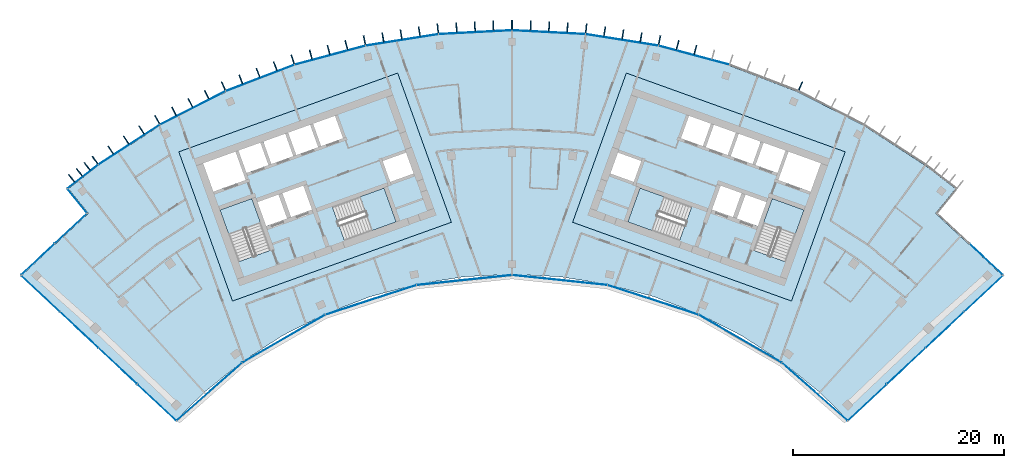
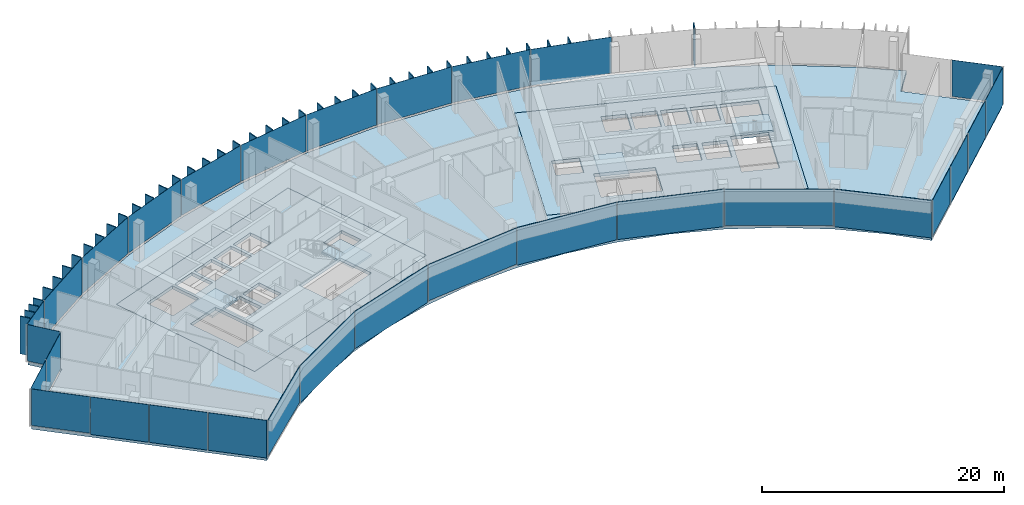
# One storey, part 11 of 19: 69 plates, 7 slabs, 11 elements without a shape of their own.
"""IFC4 building model written with IfcOpenShell, lengths in metres."""

import ifcopenshell
import ifcopenshell.guid

model = None  # the IFC model being written
_history = None  # IfcOwnerHistory: only IFC2X3 demands one
_inside = {}  # id of a spatial element -> (the spatial element, [elements in it])
_under = {}  # id of a project, library or spatial element -> (it, [spatial elements below it])
_declared = {}  # id of a project -> (the project, [libraries it declares])
_typed = {}  # id of a type object -> (the type object, [elements of that type])
_made_of = {}  # id of a material, layer set ... -> (it, [elements and type objects made of it])


def new_model(schema):
    """Start an empty IFC model of exactly this schema.

    Asked for "IFC4X3", IfcOpenShell would pick the latest addendum, in which some entities
    have other attributes; the version numbers below select the first issue.
    IFC2X3 requires an IfcOwnerHistory on every rooted entity: one is made here for all.
    """
    global model, _history
    if schema == "IFC4X3":
        model = ifcopenshell.file(schema_version=(4, 3, 0, 0))
    else:
        model = ifcopenshell.file(schema=schema)
    _inside.clear()
    _under.clear()
    _declared.clear()
    _typed.clear()
    _made_of.clear()
    _history = None
    if model.schema == "IFC2X3":
        org = make("IfcOrganization", Name="unknown")
        user = make(
            "IfcPersonAndOrganization",
            ThePerson=make("IfcPerson", FamilyName="unknown"),
            TheOrganization=org,
        )
        app = make(
            "IfcApplication",
            ApplicationDeveloper=org,
            Version="unknown",
            ApplicationFullName="unknown",
            ApplicationIdentifier="unknown",
        )
        _history = make(
            "IfcOwnerHistory",
            OwningUser=user,
            OwningApplication=app,
            ChangeAction="ADDED",
            CreationDate=0,
        )
    return model


def make(cls, **values):
    """One entity of the class cls with the attributes given. An attribute that is None is left unset."""
    return model.create_entity(
        cls, **{name: value for name, value in values.items() if value is not None}
    )


def rooted(cls, **values):
    """An entity with a GlobalId (a new one), such as an element, a storey or a relation."""
    return make(cls, GlobalId=ifcopenshell.guid.new(), OwnerHistory=_history, **values)


def si_unit(unit_type, name, prefix=None):
    """IfcSIUnit, for example si_unit("LENGTHUNIT", "METRE", prefix="MILLI")."""
    return make("IfcSIUnit", UnitType=unit_type, Prefix=prefix, Name=name)


def assignment(units):
    """IfcUnitAssignment: the units of a project."""
    return None if units is None else make("IfcUnitAssignment", Units=units)


def point(xyz):
    """IfcCartesianPoint."""
    return None if xyz is None else make("IfcCartesianPoint", Coordinates=xyz)


def direction(xyz):
    """IfcDirection."""
    return None if xyz is None else make("IfcDirection", DirectionRatios=xyz)


def frame(location, z_axis=None, x_axis=None):
    """IfcAxis2Placement3D, a coordinate frame: its origin and axes. An axis left out is left unset."""
    return make(
        "IfcAxis2Placement3D",
        Location=point(location),
        Axis=direction(z_axis),
        RefDirection=direction(x_axis),
    )


def frame_2d(location, x_axis=None):
    """IfcAxis2Placement2D, a coordinate frame in the plane: its origin and x axis."""
    return make(
        "IfcAxis2Placement2D", Location=point(location), RefDirection=direction(x_axis)
    )


def origin():
    """The frame at (0, 0, 0) with its axes left unset."""
    return frame((0.0, 0.0, 0.0))


def origin_2d():
    """The frame at (0, 0) in the plane with its x axis left unset."""
    return frame_2d((0.0, 0.0))


def place(relative_to, where):
    """IfcLocalPlacement: puts the frame where relative to a parent placement (None: the world)."""
    return make(
        "IfcLocalPlacement", PlacementRelTo=relative_to, RelativePlacement=where
    )


def context(
    kind, dimensions, precision=None, world=None, true_north=None, identifier=None
):
    """IfcGeometricRepresentationContext, for example the 3D "Model" context."""
    return make(
        "IfcGeometricRepresentationContext",
        ContextIdentifier=identifier,
        ContextType=kind,
        CoordinateSpaceDimension=dimensions,
        Precision=precision,
        WorldCoordinateSystem=world,
        TrueNorth=true_north,
    )


def subcontext(parent, identifier, kind, view, scale=None):
    """IfcGeometricRepresentationSubContext, for example "Body" below "Model"."""
    return make(
        "IfcGeometricRepresentationSubContext",
        ContextIdentifier=identifier,
        ContextType=kind,
        ParentContext=parent,
        TargetScale=scale,
        TargetView=view,
    )


def project(units=None, contexts=None):
    """IfcProject with its units and contexts."""
    return rooted(
        "IfcProject",
        Name="project",
        RepresentationContexts=contexts,
        UnitsInContext=assignment(units),
    )


def spatial(cls, under=None, at=None, **own):
    """A site, building, storey or space (cls), placed at a placement, below another one or the project."""
    s = rooted(cls, ObjectPlacement=at, **own)
    if under is not None:
        _under.setdefault(under.id(), (under, []))[1].append(s)
    return s


def polyline(points):
    """IfcPolyline through the points."""
    return make("IfcPolyline", Points=[point(p) for p in points])


def profile(cls, at=None, kind="AREA", **sizes):
    """A parametric profile (cls). Its sizes go by their IFC names, for example OverallWidth=200.0."""
    return make(cls, ProfileType=kind, Position=at, **sizes)


def rectangle(**sizes):
    """IfcRectangleProfileDef."""
    return profile("IfcRectangleProfileDef", **sizes)


def outline(outer, holes=None, kind="AREA"):
    """IfcArbitraryClosedProfileDef: a profile drawn as a closed curve; with holes, ...WithVoids."""
    if holes is None:
        return make("IfcArbitraryClosedProfileDef", ProfileType=kind, OuterCurve=outer)
    return make(
        "IfcArbitraryProfileDefWithVoids",
        ProfileType=kind,
        OuterCurve=outer,
        InnerCurves=holes,
    )


def extrude(swept, where, along, depth):
    """IfcExtrudedAreaSolid: the profile swept, set in the frame where, extruded along a direction by depth."""
    return make(
        "IfcExtrudedAreaSolid",
        SweptArea=swept,
        Position=where,
        ExtrudedDirection=direction(along),
        Depth=depth,
    )


def shape(context_of_items, identifier, shape_type, items):
    """IfcShapeRepresentation: the items that make up one representation, for example the "Body"."""
    return make(
        "IfcShapeRepresentation",
        ContextOfItems=context_of_items,
        RepresentationIdentifier=identifier,
        RepresentationType=shape_type,
        Items=items,
    )


def material(Name=None, Category=None):
    """IfcMaterial."""
    return make("IfcMaterial", Name=Name, Category=Category)


def layer(
    of_material, thickness, ventilated=None, Name=None, Category=None, Priority=None
):
    """IfcMaterialLayer: one layer of a wall or slab, of a material (None: an air gap)."""
    return make(
        "IfcMaterialLayer",
        Material=of_material,
        LayerThickness=thickness,
        IsVentilated=ventilated,
        Name=Name,
        Category=Category,
        Priority=Priority,
    )


def layer_set(layers, Name=None):
    """IfcMaterialLayerSet."""
    return make("IfcMaterialLayerSet", MaterialLayers=layers, LayerSetName=Name)


def made_of(thing, what):
    """Note that an element or type object is made of a material, layer set ...; save() writes the relation."""
    if what is not None:
        _made_of.setdefault(what.id(), (what, []))[1].append(thing)
    return thing


def type_object(cls, material=None, **own):
    """A type object (cls), such as IfcWallType, which elements share."""
    return made_of(rooted(cls, **own), material)


def element(
    cls,
    number,
    at=None,
    inside=None,
    cuts=None,
    type_object=None,
    material=None,
    context=None,
    identifier="Body",
    shape_type=None,
    held_by="IfcProductDefinitionShape",
    body=None,
    shapes=None,
    **own,
):
    """One element of the class cls, such as IfcWall. Its Tag is "e" and its number.

    at: its placement. inside: the storey or other place that contains it. cuts: it is an
    opening in that element (IfcRelVoidsElement). A single representation is given by context,
    identifier, shape_type and body (its items); several are given by shapes. held_by: the class
    of the entity that holds the representations. save() writes the other relations.
    """
    e = rooted(cls, Tag="e%d" % number, ObjectPlacement=at, **own)
    if body is not None:
        shapes = [shape(context, identifier, shape_type, body)]
    if shapes is not None:
        e.Representation = make(held_by, Representations=shapes)
    if inside is not None:
        _inside.setdefault(inside.id(), (inside, []))[1].append(e)
    if cuts is not None:
        rooted(
            "IfcRelVoidsElement", RelatingBuildingElement=cuts, RelatedOpeningElement=e
        )
    if type_object is not None:
        _typed.setdefault(type_object.id(), (type_object, []))[1].append(e)
    return made_of(e, material)


def aggregate(whole, parts):
    """IfcRelAggregates: a whole, such as a stair, and the parts it consists of."""
    return rooted("IfcRelAggregates", RelatingObject=whole, RelatedObjects=parts)


def save(model, path):
    """Write the relations noted so far, then the file.

    IfcRelAggregates (storeys below a building ...), IfcRelContainedInSpatialStructure (elements
    in a storey), IfcRelDefinesByType, IfcRelAssociatesMaterial and IfcRelDeclares: one each for
    every whole, place, type object, material and project.
    """
    for whole, parts in _under.values():
        aggregate(whole, parts)
    for where, things in _inside.values():
        rooted(
            "IfcRelContainedInSpatialStructure",
            RelatedElements=things,
            RelatingStructure=where,
        )
    for kind, things in _typed.values():
        rooted("IfcRelDefinesByType", RelatedObjects=things, RelatingType=kind)
    for what, things in _made_of.values():
        rooted("IfcRelAssociatesMaterial", RelatedObjects=things, RelatingMaterial=what)
    for by, libraries in _declared.values():
        rooted("IfcRelDeclares", RelatingContext=by, RelatedDefinitions=libraries)
    model.write(path)


model = new_model("IFC4")

# Units and contexts
model_context = context("Model", 3, precision=1e-05, world=origin(), true_north=direction((0.0, 1.0)))
body_context = subcontext(model_context, "Body", "Model", "MODEL_VIEW")
ifc_project = project(units=[si_unit("LENGTHUNIT", "METRE"), si_unit("AREAUNIT", "SQUARE_METRE"), si_unit("VOLUMEUNIT", "CUBIC_METRE"), si_unit("PLANEANGLEUNIT", "RADIAN"), si_unit("MASSUNIT", "GRAM", prefix="KILO")], contexts=[model_context])

# Site, building, storey
site_placement = place(None, origin())
site = spatial("IfcSite", under=ifc_project, at=site_placement, CompositionType="ELEMENT")
building_placement = place(site_placement, origin())
building = spatial("IfcBuilding", under=site, at=building_placement, Name="Stone Belt Terrace Tower", CompositionType="ELEMENT")
storey_placement = place(building_placement, frame((0.0, 0.0, 303.60009765625)))
storey = spatial("IfcBuildingStorey", under=building, at=storey_placement, Name="L74", CompositionType="ELEMENT", Elevation=303.60009765625)

# Curtain wall, plates
ifc_material_1 = material(Name="Aluminium 6063-T6 anodised frame", Category="aluminium")
ifc_layer_1 = layer(ifc_material_1, 0.14990234375)
ifc_layer_set_1 = layer_set([ifc_layer_1], Name="CW-A unitised convex-face curtain wall")
curtain_wall_type_1 = type_object("IfcCurtainWallType", Name="CW-A unitised convex-face curtain wall", PredefinedType="NOTDEFINED", material=ifc_layer_set_1)
curtain_wall_1_placement = place(storey_placement, origin())
curtain_wall_1 = element("IfcCurtainWall", 1, at=curtain_wall_1_placement, inside=storey, type_object=curtain_wall_type_1, Name="CW-A convex face L74", PredefinedType="NOTDEFINED")
ifc_material_2 = material(Name="Clear double glazed unit")
ifc_layer_2 = layer(ifc_material_2, 0.031982421875)
ifc_layer_set_2 = layer_set([ifc_layer_2], Name="CW-A glass panel 32")
plate_type_1 = type_object("IfcPlateType", Name="CW-A glass panel 32", PredefinedType="CURTAIN_PANEL", material=ifc_layer_set_2)
plate_1_placement = place(storey_placement, frame((17.207275390625, 64.218505859375, 0.14013671875), z_axis=(0.0, 0.0, 1.0), x_axis=(-0.965925826289, 0.258819045103, 0.0)))
plate_1 = element("IfcPlate", 2, at=plate_1_placement, type_object=plate_type_1, Name="CW-A panel 5.1", PredefinedType="CURTAIN_PANEL", context=body_context, shape_type="SweptSolid", body=[
    extrude(rectangle(XDim=6.90087890625, YDim=0.031982421875, at=origin_2d()), origin(), (0.0, 0.0, 1.0), 3.659912109375),
])
plate_2_placement = place(storey_placement, frame((10.400390625, 65.665283203125, 0.14013671875), z_axis=(0.0, 0.0, 1.0), x_axis=(-0.987688340595, 0.15643446504, 0.0)))
plate_2 = element("IfcPlate", 3, at=plate_2_placement, type_object=plate_type_1, Name="CW-A panel 6.1", PredefinedType="CURTAIN_PANEL", context=body_context, shape_type="SweptSolid", body=[
    extrude(rectangle(XDim=6.90087890625, YDim=0.031982421875, at=origin_2d()), origin(), (0.0, 0.0, 1.0), 3.659912109375),
])
plate_3_placement = place(storey_placement, frame((3.4794921875, 66.392822265625, 0.14013671875), z_axis=(0.0, 0.0, 1.0), x_axis=(-0.998629534755, 0.052335956243, 0.0)))
plate_3 = element("IfcPlate", 4, at=plate_3_placement, type_object=plate_type_1, Name="CW-A panel 7.1", PredefinedType="CURTAIN_PANEL", context=body_context, shape_type="SweptSolid", body=[
    extrude(rectangle(XDim=6.90087890625, YDim=0.031982421875, at=origin_2d()), origin(), (0.0, 0.0, 1.0), 3.659912109375),
])
plate_4_placement = place(storey_placement, frame((-3.4794921875, 66.392822265625, 0.14013671875), z_axis=(0.0, 0.0, 1.0), x_axis=(-0.998629534755, -0.052335956243, 0.0)))
plate_4 = element("IfcPlate", 5, at=plate_4_placement, type_object=plate_type_1, Name="CW-A panel 8.1", PredefinedType="CURTAIN_PANEL", context=body_context, shape_type="SweptSolid", body=[
    extrude(rectangle(XDim=6.90087890625, YDim=0.031982421875, at=origin_2d()), origin(), (0.0, 0.0, 1.0), 3.659912109375),
])
plate_5_placement = place(storey_placement, frame((-10.400390625, 65.665283203125, 0.14013671875), z_axis=(0.0, 0.0, 1.0), x_axis=(-0.987688340595, -0.15643446504, 0.0)))
plate_5 = element("IfcPlate", 6, at=plate_5_placement, type_object=plate_type_1, Name="CW-A panel 9.1", PredefinedType="CURTAIN_PANEL", context=body_context, shape_type="SweptSolid", body=[
    extrude(rectangle(XDim=6.90087890625, YDim=0.031982421875, at=origin_2d()), origin(), (0.0, 0.0, 1.0), 3.659912109375),
])
plate_6_placement = place(storey_placement, frame((-17.207275390625, 64.218505859375, 0.14013671875), z_axis=(0.0, 0.0, 1.0), x_axis=(-0.965925826289, -0.258819045103, 0.0)))
plate_6 = element("IfcPlate", 7, at=plate_6_placement, type_object=plate_type_1, Name="CW-A panel 10.1", PredefinedType="CURTAIN_PANEL", context=body_context, shape_type="SweptSolid", body=[
    extrude(rectangle(XDim=6.90087890625, YDim=0.031982421875, at=origin_2d()), origin(), (0.0, 0.0, 1.0), 3.659912109375),
])
plate_7_placement = place(storey_placement, frame((-23.82568359375, 62.068115234375, 0.14013671875), z_axis=(0.0, 0.0, 1.0), x_axis=(-0.933580426497, -0.358367949545, 0.0)))
plate_7 = element("IfcPlate", 8, at=plate_7_placement, type_object=plate_type_1, Name="CW-A panel 11.1", PredefinedType="CURTAIN_PANEL", context=body_context, shape_type="SweptSolid", body=[
    extrude(rectangle(XDim=6.90087890625, YDim=0.031982421875, at=origin_2d()), origin(), (0.0, 0.0, 1.0), 3.659912109375),
])
plate_8_placement = place(storey_placement, frame((-30.18310546875, 59.237548828125, 0.14013671875), z_axis=(0.0, 0.0, 1.0), x_axis=(-0.891006524188, -0.45399049974, 0.0)))
plate_8 = element("IfcPlate", 9, at=plate_8_placement, type_object=plate_type_1, Name="CW-A panel 12.1", PredefinedType="CURTAIN_PANEL", context=body_context, shape_type="SweptSolid", body=[
    extrude(rectangle(XDim=6.90087890625, YDim=0.031982421875, at=origin_2d()), origin(), (0.0, 0.0, 1.0), 3.659912109375),
])
plate_9_placement = place(storey_placement, frame((-36.209716796875, 55.758056640625, 0.14013671875), z_axis=(0.0, 0.0, 1.0), x_axis=(-0.838670567945, -0.544639035015, 0.0)))
plate_9 = element("IfcPlate", 10, at=plate_9_placement, type_object=plate_type_1, Name="CW-A panel 13.1", PredefinedType="CURTAIN_PANEL", context=body_context, shape_type="SweptSolid", body=[
    extrude(rectangle(XDim=6.900634765625, YDim=0.031982421875, at=origin_2d()), origin(), (0.0, 0.0, 1.0), 3.659912109375),
])
plate_10_placement = place(storey_placement, frame((-40.583251953125, 52.744140625, 0.14013671875), z_axis=(0.0, 0.0, 1.0), x_axis=(-0.792693871824, -0.60961990254, 0.0)))
plate_10 = element("IfcPlate", 11, at=plate_10_placement, type_object=plate_type_1, Name="CW-A panel 14.1", PredefinedType="CURTAIN_PANEL", context=body_context, shape_type="SweptSolid", body=[
    extrude(rectangle(XDim=3.597900390625, YDim=0.031982421875, at=origin_2d()), origin(), (0.0, 0.0, 1.0), 3.659912109375),
])
aggregate(curtain_wall_1, [plate_1, plate_2, plate_3, plate_4, plate_5, plate_6, plate_7, plate_8, plate_9, plate_10])

ifc_layer_3 = layer(ifc_material_1, 0.14990234375)
ifc_layer_set_3 = layer_set([ifc_layer_3], Name="CW-B unitised concave-face curtain wall")
curtain_wall_type_2 = type_object("IfcCurtainWallType", Name="CW-B unitised concave-face curtain wall", PredefinedType="NOTDEFINED", material=ifc_layer_set_3)
curtain_wall_2_placement = place(storey_placement, origin())
curtain_wall_2 = element("IfcCurtainWall", 12, at=curtain_wall_2_placement, inside=storey, type_object=curtain_wall_type_2, Name="CW-B concave face L74", PredefinedType="NOTDEFINED")
ifc_layer_4 = layer(ifc_material_2, 0.030029296875)
ifc_layer_set_4 = layer_set([ifc_layer_4], Name="CW-B glass panel 30")
plate_type_2 = type_object("IfcPlateType", Name="CW-B glass panel 30", PredefinedType="CURTAIN_PANEL", material=ifc_layer_set_4)
plate_11_placement = place(storey_placement, frame((-28.624755859375, 32.39404296875, 0.1201171875), z_axis=(0.0, 0.0, 1.0), x_axis=(0.749658646805, 0.661824684694, 0.0)))
plate_11 = element("IfcPlate", 13, at=plate_11_placement, type_object=plate_type_2, Name="CW-B panel 1.1", PredefinedType="CURTAIN_PANEL", context=body_context, shape_type="SweptSolid", body=[
    extrude(rectangle(XDim=8.2060546875, YDim=0.030029296875, at=origin_2d()), origin(), (0.0, 0.0, 1.0), 3.679931640625),
])
plate_12_placement = place(storey_placement, frame((-21.59375, 37.400634765625, 0.0), z_axis=(0.0, 0.0, 1.0), x_axis=(0.866025403784, 0.5, 0.0)))
plate_12 = element("IfcPlate", 14, at=plate_12_placement, type_object=plate_type_2, Name="CW-B panel 2.1", PredefinedType="CURTAIN_PANEL", context=body_context, shape_type="SweptSolid", body=[
    extrude(rectangle(XDim=9.013427734375, YDim=0.030029296875, at=origin_2d()), origin(), (0.0, 0.0, 1.0), 3.800048828125),
])
plate_13_placement = place(storey_placement, frame((-13.345458984375, 41.072998046875, 0.0), z_axis=(0.0, 0.0, 1.0), x_axis=(0.951056516295, 0.309016994375, 0.0)))
plate_13 = element("IfcPlate", 15, at=plate_13_placement, type_object=plate_type_2, Name="CW-B panel 3.1", PredefinedType="CURTAIN_PANEL", context=body_context, shape_type="SweptSolid", body=[
    extrude(rectangle(XDim=9.0126953125, YDim=0.030029296875, at=origin_2d()), origin(), (0.0, 0.0, 1.0), 3.800048828125),
])
plate_14_placement = place(storey_placement, frame((-4.51416015625, 42.9501953125, 0.1201171875), z_axis=(0.0, 0.0, 1.0), x_axis=(0.994521895368, 0.104528463268, 0.0)))
plate_14 = element("IfcPlate", 16, at=plate_14_placement, type_object=plate_type_2, Name="CW-B panel 4.1", PredefinedType="CURTAIN_PANEL", context=body_context, shape_type="SweptSolid", body=[
    extrude(rectangle(XDim=9.0126953125, YDim=0.030029296875, at=origin_2d()), origin(), (0.0, 0.0, 1.0), 3.679931640625),
])
plate_15_placement = place(storey_placement, frame((4.51416015625, 42.9501953125, 0.0), z_axis=(0.0, 0.0, 1.0), x_axis=(0.994521895368, -0.104528463268, 0.0)))
plate_15 = element("IfcPlate", 17, at=plate_15_placement, type_object=plate_type_2, Name="CW-B panel 5.1", PredefinedType="CURTAIN_PANEL", context=body_context, shape_type="SweptSolid", body=[
    extrude(rectangle(XDim=9.0126953125, YDim=0.030029296875, at=origin_2d()), origin(), (0.0, 0.0, 1.0), 3.800048828125),
])
plate_16_placement = place(storey_placement, frame((13.345458984375, 41.072998046875, 0.0), z_axis=(0.0, 0.0, 1.0), x_axis=(0.951056516295, -0.309016994375, 0.0)))
plate_16 = element("IfcPlate", 18, at=plate_16_placement, type_object=plate_type_2, Name="CW-B panel 6.1", PredefinedType="CURTAIN_PANEL", context=body_context, shape_type="SweptSolid", body=[
    extrude(rectangle(XDim=9.0126953125, YDim=0.030029296875, at=origin_2d()), origin(), (0.0, 0.0, 1.0), 3.800048828125),
])
plate_17_placement = place(storey_placement, frame((21.59375, 37.400634765625, 0.1201171875), z_axis=(0.0, 0.0, 1.0), x_axis=(0.866025403784, -0.5, 0.0)))
plate_17 = element("IfcPlate", 19, at=plate_17_placement, type_object=plate_type_2, Name="CW-B panel 7.1", PredefinedType="CURTAIN_PANEL", context=body_context, shape_type="SweptSolid", body=[
    extrude(rectangle(XDim=9.013427734375, YDim=0.030029296875, at=origin_2d()), origin(), (0.0, 0.0, 1.0), 3.679931640625),
])
plate_18_placement = place(storey_placement, frame((28.624755859375, 32.39404296875, 0.0), z_axis=(0.0, 0.0, 1.0), x_axis=(0.749658646805, -0.661824684694, 0.0)))
plate_18 = element("IfcPlate", 20, at=plate_18_placement, type_object=plate_type_2, Name="CW-B panel 8.1", PredefinedType="CURTAIN_PANEL", context=body_context, shape_type="SweptSolid", body=[
    extrude(rectangle(XDim=8.2060546875, YDim=0.030029296875, at=origin_2d()), origin(), (0.0, 0.0, 1.0), 3.800048828125),
])
aggregate(curtain_wall_2, [plate_11, plate_12, plate_13, plate_14, plate_15, plate_16, plate_17, plate_18])

ifc_layer_5 = layer(ifc_material_1, 0.14990234375)
ifc_layer_set_5 = layer_set([ifc_layer_5], Name="CW-C stick curtain wall, horn ends and notches")
curtain_wall_type_3 = type_object("IfcCurtainWallType", Name="CW-C stick curtain wall, horn ends and notches", PredefinedType="NOTDEFINED", material=ifc_layer_set_5)
curtain_wall_3_placement = place(storey_placement, origin())
curtain_wall_3 = element("IfcCurtainWall", 21, at=curtain_wall_3_placement, inside=storey, type_object=curtain_wall_type_3, Name="CW-C end face L74", PredefinedType="NOTDEFINED")
ifc_layer_6 = layer(ifc_material_2, 0.028076171875)
ifc_layer_set_6 = layer_set([ifc_layer_6], Name="CW-C glass panel 28")
plate_type_3 = type_object("IfcPlateType", Name="CW-C glass panel 28", PredefinedType="CURTAIN_PANEL", material=ifc_layer_set_6)
plate_19_placement = place(storey_placement, frame((33.617431640625, 31.3798828125, 0.1201171875), z_axis=(0.0, 0.0, 1.0), x_axis=(0.729904219708, 0.683549434973, 0.0)))
plate_19 = element("IfcPlate", 22, at=plate_19_placement, type_object=plate_type_3, Name="CW-C panel 1.1", PredefinedType="CURTAIN_PANEL", context=body_context, shape_type="SweptSolid", body=[
    extrude(rectangle(XDim=4.965576171875, YDim=0.028076171875, at=origin_2d()), origin(), (0.0, 0.0, 1.0), 3.679931640625),
])
plate_20_placement = place(storey_placement, frame((37.2763671875, 34.806396484375, 0.0), z_axis=(0.0, 0.0, 1.0), x_axis=(0.729904219708, 0.683549434973, 0.0)))
plate_20 = element("IfcPlate", 23, at=plate_20_placement, type_object=plate_type_3, Name="CW-C panel 2.1", PredefinedType="CURTAIN_PANEL", context=body_context, shape_type="SweptSolid", body=[
    extrude(rectangle(XDim=4.93994140625, YDim=0.028076171875, at=origin_2d()), origin(), (0.0, 0.0, 1.0), 3.800048828125),
])
plate_21_placement = place(storey_placement, frame((40.92578125, 38.22412109375, 0.0), z_axis=(0.0, 0.0, 1.0), x_axis=(0.729904219708, 0.683549434973, 0.0)))
plate_21 = element("IfcPlate", 24, at=plate_21_placement, type_object=plate_type_3, Name="CW-C panel 3.1", PredefinedType="CURTAIN_PANEL", context=body_context, shape_type="SweptSolid", body=[
    extrude(rectangle(XDim=4.93994140625, YDim=0.028076171875, at=origin_2d()), origin(), (0.0, 0.0, 1.0), 3.800048828125),
])
plate_22_placement = place(storey_placement, frame((44.588134765625, 41.65380859375, 0.0), z_axis=(0.0, 0.0, 1.0), x_axis=(0.729904219708, 0.683549434973, 0.0)))
plate_22 = element("IfcPlate", 25, at=plate_22_placement, type_object=plate_type_3, Name="CW-C panel 4.1", PredefinedType="CURTAIN_PANEL", context=body_context, shape_type="SweptSolid", body=[
    extrude(rectangle(XDim=4.974853515625, YDim=0.028076171875, at=origin_2d()), origin(), (0.0, 0.0, 1.0), 3.800048828125),
])
aggregate(curtain_wall_3, [plate_19, plate_20, plate_21, plate_22])

# Curtain wall, plate
curtain_wall_4_placement = place(storey_placement, origin())
curtain_wall_4 = element("IfcCurtainWall", 26, at=curtain_wall_4_placement, inside=storey, type_object=curtain_wall_type_3, Name="CW-C notch face L74", PredefinedType="NOTDEFINED")
plate_23_placement = place(storey_placement, frame((44.8427734375, 44.91259765625, 0.1201171875), z_axis=(0.0, 0.0, 1.0), x_axis=(-0.731339333871, 0.682013767261, 0.0)))
plate_23 = element("IfcPlate", 27, at=plate_23_placement, type_object=plate_type_3, Name="CW-C panel 1.1", PredefinedType="CURTAIN_PANEL", context=body_context, shape_type="SweptSolid", body=[
    extrude(rectangle(XDim=4.268798828125, YDim=0.028076171875, at=origin_2d()), origin(), (0.0, 0.0, 1.0), 3.679931640625),
])
aggregate(curtain_wall_4, [plate_23])

curtain_wall_5_placement = place(storey_placement, origin())
curtain_wall_5 = element("IfcCurtainWall", 28, at=curtain_wall_5_placement, inside=storey, type_object=curtain_wall_type_3, Name="CW-C notch face L74", PredefinedType="NOTDEFINED")
plate_24_placement = place(storey_placement, frame((-41.119140625, 50.43505859375, 0.1201171875), z_axis=(0.0, 0.0, 1.0), x_axis=(0.631001485542, -0.775781622136, 0.0)))
plate_24 = element("IfcPlate", 29, at=plate_24_placement, type_object=plate_type_3, Name="CW-C panel 1.1", PredefinedType="CURTAIN_PANEL", context=body_context, shape_type="SweptSolid", body=[
    extrude(rectangle(XDim=2.859130859375, YDim=0.028076171875, at=origin_2d()), origin(), (0.0, 0.0, 1.0), 3.679931640625),
])
aggregate(curtain_wall_5, [plate_24])

# Curtain wall, plates
curtain_wall_6_placement = place(storey_placement, origin())
curtain_wall_6 = element("IfcCurtainWall", 30, at=curtain_wall_6_placement, inside=storey, type_object=curtain_wall_type_3, Name="CW-C notch face L74", PredefinedType="NOTDEFINED")
plate_25_placement = place(storey_placement, frame((-41.731201171875, 47.814208984375, 0.1201171875), z_axis=(0.0, 0.0, 1.0), x_axis=(-0.731339333871, -0.682013767261, 0.0)))
plate_25 = element("IfcPlate", 31, at=plate_25_placement, type_object=plate_type_3, Name="CW-C panel 1.1", PredefinedType="CURTAIN_PANEL", context=body_context, shape_type="SweptSolid", body=[
    extrude(rectangle(XDim=4.12060546875, YDim=0.028076171875, at=origin_2d()), origin(), (0.0, 0.0, 1.0), 3.679931640625),
])
plate_26_placement = place(storey_placement, frame((-44.8427734375, 44.91259765625, 0.0), z_axis=(0.0, 0.0, 1.0), x_axis=(-0.731339333871, -0.682013767261, 0.0)))
plate_26 = element("IfcPlate", 32, at=plate_26_placement, type_object=plate_type_3, Name="CW-C panel 2.1", PredefinedType="CURTAIN_PANEL", context=body_context, shape_type="SweptSolid", body=[
    extrude(rectangle(XDim=4.268798828125, YDim=0.028076171875, at=origin_2d()), origin(), (0.0, 0.0, 1.0), 3.800048828125),
])
aggregate(curtain_wall_6, [plate_25, plate_26])

curtain_wall_7_placement = place(storey_placement, origin())
curtain_wall_7 = element("IfcCurtainWall", 33, at=curtain_wall_7_placement, inside=storey, type_object=curtain_wall_type_3, Name="CW-C end face L74", PredefinedType="NOTDEFINED")
plate_27_placement = place(storey_placement, frame((-44.588134765625, 41.65380859375, 0.1201171875), z_axis=(0.0, 0.0, 1.0), x_axis=(0.729904219708, -0.683549434973, 0.0)))
plate_27 = element("IfcPlate", 34, at=plate_27_placement, type_object=plate_type_3, Name="CW-C panel 1.1", PredefinedType="CURTAIN_PANEL", context=body_context, shape_type="SweptSolid", body=[
    extrude(rectangle(XDim=4.974853515625, YDim=0.028076171875, at=origin_2d()), origin(), (0.0, 0.0, 1.0), 3.679931640625),
])
plate_28_placement = place(storey_placement, frame((-40.92578125, 38.22412109375, 0.0), z_axis=(0.0, 0.0, 1.0), x_axis=(0.729904219708, -0.683549434973, 0.0)))
plate_28 = element("IfcPlate", 35, at=plate_28_placement, type_object=plate_type_3, Name="CW-C panel 2.1", PredefinedType="CURTAIN_PANEL", context=body_context, shape_type="SweptSolid", body=[
    extrude(rectangle(XDim=4.93994140625, YDim=0.028076171875, at=origin_2d()), origin(), (0.0, 0.0, 1.0), 3.800048828125),
])
plate_29_placement = place(storey_placement, frame((-37.2763671875, 34.806396484375, 0.0), z_axis=(0.0, 0.0, 1.0), x_axis=(0.729904219708, -0.683549434973, 0.0)))
plate_29 = element("IfcPlate", 36, at=plate_29_placement, type_object=plate_type_3, Name="CW-C panel 3.1", PredefinedType="CURTAIN_PANEL", context=body_context, shape_type="SweptSolid", body=[
    extrude(rectangle(XDim=4.93994140625, YDim=0.028076171875, at=origin_2d()), origin(), (0.0, 0.0, 1.0), 3.800048828125),
])
plate_30_placement = place(storey_placement, frame((-33.617431640625, 31.3798828125, 0.0), z_axis=(0.0, 0.0, 1.0), x_axis=(0.729904219708, -0.683549434973, 0.0)))
plate_30 = element("IfcPlate", 37, at=plate_30_placement, type_object=plate_type_3, Name="CW-C panel 4.1", PredefinedType="CURTAIN_PANEL", context=body_context, shape_type="SweptSolid", body=[
    extrude(rectangle(XDim=4.965576171875, YDim=0.028076171875, at=origin_2d()), origin(), (0.0, 0.0, 1.0), 3.800048828125),
])
aggregate(curtain_wall_7, [plate_27, plate_28, plate_29, plate_30])

# Slabs
ifc_material_3 = material(Name="Concrete B40", Category="concrete")
ifc_layer_7 = layer(ifc_material_3, 0.320068359375)
ifc_layer_set_7 = layer_set([ifc_layer_7], Name="Core floor slab 320")
slab_type_1 = type_object("IfcSlabType", Name="Core floor slab 320", PredefinedType="FLOOR", material=ifc_layer_set_7)
slab_1_placement = place(storey_placement, frame((0.0, 0.0, -0.320068359375)))
element("IfcSlab", 38, at=slab_1_placement, inside=storey, type_object=slab_type_1, Name="Core A floor L74", PredefinedType="FLOOR", context=body_context, shape_type="SweptSolid", body=[
    extrude(outline(polyline([(-26.43505859375, 40.968994140625), (-5.735107421875, 48.4189453125), (-10.81396484375, 62.531982421875), (-31.513916015625, 55.0830078125), (-26.43505859375, 40.968994140625)]), holes=[polyline([(-24.60791015625, 50.659912109375), (-22.847900390625, 45.76806640625), (-25.85888671875, 44.68408203125), (-27.618896484375, 49.575927734375), (-24.60791015625, 50.659912109375)]), polyline([(-10.955078125, 48.452880859375), (-15.846923828125, 46.69189453125), (-16.998046875, 49.89208984375), (-12.10595703125, 51.652099609375), (-10.955078125, 48.452880859375)]), polyline([(-22.0869140625, 51.035888671875), (-21.27392578125, 48.778076171875), (-23.25, 48.06689453125), (-24.06298828125, 50.324951171875), (-22.0869140625, 51.035888671875)]), polyline([(-18.922119140625, 49.6240234375), (-20.89794921875, 48.9130859375), (-21.7109375, 51.1708984375), (-19.735107421875, 51.883056640625), (-18.922119140625, 49.6240234375)]), polyline([(-29.2109375, 53.9990234375), (-26.153076171875, 55.09912109375), (-25.18798828125, 52.41796875), (-28.24609375, 51.31689453125), (-29.2109375, 53.9990234375)]), polyline([(-10.01904296875, 55.007080078125), (-9.30810546875, 53.031005859375), (-11.51904296875, 52.235107421875), (-12.22998046875, 54.2109375), (-10.01904296875, 55.007080078125)]), polyline([(-25.87109375, 55.200927734375), (-23.801025390625, 55.946044921875), (-23.0390625, 53.8291015625), (-25.10888671875, 53.083984375), (-25.87109375, 55.200927734375)]), polyline([(-23.51806640625, 56.047119140625), (-21.447998046875, 56.7919921875), (-20.68603515625, 54.675048828125), (-22.756103515625, 53.929931640625), (-23.51806640625, 56.047119140625)]), polyline([(-19.095947265625, 57.638916015625), (-18.333984375, 55.52197265625), (-20.404052734375, 54.777099609375), (-21.166015625, 56.89404296875), (-19.095947265625, 57.638916015625)]), polyline([(-16.743896484375, 58.485107421875), (-15.98193359375, 56.367919921875), (-18.052001953125, 55.623046875), (-18.81396484375, 57.739990234375), (-16.743896484375, 58.485107421875)])]), origin(), (0.0, 0.0, 1.0), 0.320068359375),
])
slab_2_placement = place(storey_placement, frame((0.0, 0.0, -0.320068359375)))
element("IfcSlab", 39, at=slab_2_placement, inside=storey, type_object=slab_type_1, Name="Core B floor L74", PredefinedType="FLOOR", context=body_context, shape_type="SweptSolid", body=[
    extrude(outline(polyline([(26.43505859375, 40.968994140625), (31.513916015625, 55.0830078125), (10.81396484375, 62.531982421875), (5.735107421875, 48.4189453125), (26.43505859375, 40.968994140625)]), holes=[polyline([(27.618896484375, 49.575927734375), (25.85888671875, 44.68408203125), (22.847900390625, 45.76806640625), (24.60791015625, 50.659912109375), (27.618896484375, 49.575927734375)]), polyline([(12.10595703125, 51.652099609375), (16.998046875, 49.89208984375), (15.846923828125, 46.69189453125), (10.955078125, 48.452880859375), (12.10595703125, 51.652099609375)]), polyline([(23.25, 48.06689453125), (21.27392578125, 48.778076171875), (22.0869140625, 51.035888671875), (24.06298828125, 50.324951171875), (23.25, 48.06689453125)]), polyline([(18.922119140625, 49.6240234375), (19.735107421875, 51.883056640625), (21.7109375, 51.1708984375), (20.89794921875, 48.9130859375), (18.922119140625, 49.6240234375)]), polyline([(29.2109375, 53.9990234375), (28.24609375, 51.31689453125), (25.18798828125, 52.41796875), (26.153076171875, 55.09912109375), (29.2109375, 53.9990234375)]), polyline([(11.51904296875, 52.235107421875), (9.30810546875, 53.031005859375), (10.01904296875, 55.007080078125), (12.22998046875, 54.2109375), (11.51904296875, 52.235107421875)]), polyline([(23.0390625, 53.8291015625), (23.801025390625, 55.946044921875), (25.87109375, 55.200927734375), (25.10888671875, 53.083984375), (23.0390625, 53.8291015625)]), polyline([(20.68603515625, 54.675048828125), (21.447998046875, 56.7919921875), (23.51806640625, 56.047119140625), (22.756103515625, 53.929931640625), (20.68603515625, 54.675048828125)]), polyline([(19.095947265625, 57.638916015625), (21.166015625, 56.89404296875), (20.404052734375, 54.777099609375), (18.333984375, 55.52197265625), (19.095947265625, 57.638916015625)]), polyline([(16.743896484375, 58.485107421875), (18.81396484375, 57.739990234375), (18.052001953125, 55.623046875), (15.98193359375, 56.367919921875), (16.743896484375, 58.485107421875)])]), origin(), (0.0, 0.0, 1.0), 0.320068359375),
])
ifc_layer_8 = layer(ifc_material_3, 0.320068359375)
ifc_layer_set_8 = layer_set([ifc_layer_8], Name="Floor slab 320 B40")
slab_type_2 = type_object("IfcSlabType", Name="Floor slab 320 B40", PredefinedType="FLOOR", material=ifc_layer_set_8)
slab_3_placement = place(storey_placement, frame((0.0, 0.0, -0.320068359375)))
element("IfcSlab", 40, at=slab_3_placement, inside=storey, type_object=slab_type_2, Name="Floor slab L74", PredefinedType="FLOOR", context=body_context, shape_type="SweptSolid", body=[
    extrude(outline(polyline([(-40.068603515625, 49.26220703125), (-41.961669921875, 51.589599609375), (-39.087646484375, 53.799560546875), (-33.25, 57.5908203125), (-27.048095703125, 60.750732421875), (-20.549560546875, 63.245361328125), (-13.826171875, 65.046875), (-6.951171875, 66.1357421875), (0.0, 66.5), (6.951171875, 66.1357421875), (13.826171875, 65.046875), (20.549560546875, 63.245361328125), (27.048095703125, 60.750732421875), (33.25, 57.5908203125), (39.087646484375, 53.799560546875), (41.961669921875, 51.589599609375), (40.068603515625, 49.26220703125), (46.348876953125, 43.405517578125), (31.750732421875, 29.734375), (29.107177734375, 32.326904296875), (25.568603515625, 35.192138671875), (21.75, 37.672119140625), (17.693115234375, 39.7392578125), (13.442138671875, 41.37109375), (9.044189453125, 42.54931640625), (4.547119140625, 43.26171875), (0.0, 43.5), (-4.547119140625, 43.26171875), (-9.044189453125, 42.54931640625), (-13.442138671875, 41.37109375), (-17.693115234375, 39.7392578125), (-21.75, 37.672119140625), (-25.568603515625, 35.192138671875), (-29.107177734375, 32.326904296875), (-31.750732421875, 29.734375), (-46.348876953125, 43.405517578125), (-40.068603515625, 49.26220703125)]), holes=[polyline([(-10.81396484375, 62.532470703125), (-31.51416015625, 55.082763671875), (-26.434814453125, 40.968994140625), (-5.734619140625, 48.418701171875), (-10.81396484375, 62.532470703125)]), polyline([(26.434814453125, 40.968994140625), (31.51416015625, 55.082763671875), (10.81396484375, 62.532470703125), (5.734619140625, 48.418701171875), (26.434814453125, 40.968994140625)])]), origin(), (0.0, 0.0, 1.0), 0.320068359375),
])

# Stair, slab
stair_type = type_object("IfcStairType", Name="Exit stair 1500", PredefinedType="HALF_TURN_STAIR", material=ifc_material_3)
stair_1_placement = place(storey_placement, origin())
stair_1 = element("IfcStair", 41, at=stair_1_placement, inside=storey, type_object=stair_type, Name="L74 Exit stair 1 core A", PredefinedType="HALF_TURN_STAIR")
ifc_layer_9 = layer(ifc_material_3, 0.199951171875)
ifc_layer_set_9 = layer_set([ifc_layer_9], Name="Stair landing 200")
slab_type_3 = type_object("IfcSlabType", Name="Stair landing 200", PredefinedType="LANDING", material=ifc_layer_set_9)
slab_4_placement = place(storey_placement, frame((0.0, 0.0, 1.699951171875)))
slab_4 = element("IfcSlab", 42, at=slab_4_placement, type_object=slab_type_3, Name="ST1A landing 1", PredefinedType="LANDING", context=body_context, shape_type="SweptSolid", body=[
    extrude(outline(polyline([(-23.79541015625, 48.40087890625), (-24.6083984375, 50.659912109375), (-27.619384765625, 49.576171875), (-26.806396484375, 47.3173828125), (-23.79541015625, 48.40087890625)])), origin(), (0.0, 0.0, 1.0), 0.199951171875),
])
aggregate(stair_1, [slab_4])

stair_2_placement = place(storey_placement, origin())
stair_2 = element("IfcStair", 43, at=stair_2_placement, inside=storey, type_object=stair_type, Name="L74 Exit stair 2 core A", PredefinedType="HALF_TURN_STAIR")
slab_5_placement = place(storey_placement, frame((0.0, 0.0, 1.699951171875)))
slab_5 = element("IfcSlab", 44, at=slab_5_placement, type_object=slab_type_3, Name="ST2A landing 1", PredefinedType="LANDING", context=body_context, shape_type="SweptSolid", body=[
    extrude(outline(polyline([(-13.213623046875, 47.64013671875), (-10.95458984375, 48.453125), (-12.10595703125, 51.652099609375), (-14.36474609375, 50.839111328125), (-13.213623046875, 47.64013671875)])), origin(), (0.0, 0.0, 1.0), 0.199951171875),
])
aggregate(stair_2, [slab_5])

stair_3_placement = place(storey_placement, origin())
stair_3 = element("IfcStair", 45, at=stair_3_placement, inside=storey, type_object=stair_type, Name="L74 Exit stair 1 core B", PredefinedType="HALF_TURN_STAIR")
slab_6_placement = place(storey_placement, frame((0.0, 0.0, 1.699951171875)))
slab_6 = element("IfcSlab", 46, at=slab_6_placement, type_object=slab_type_3, Name="ST1B landing 1", PredefinedType="LANDING", context=body_context, shape_type="SweptSolid", body=[
    extrude(outline(polyline([(26.806396484375, 47.3173828125), (27.619384765625, 49.576171875), (24.6083984375, 50.659912109375), (23.79541015625, 48.40087890625), (26.806396484375, 47.3173828125)])), origin(), (0.0, 0.0, 1.0), 0.199951171875),
])
aggregate(stair_3, [slab_6])

stair_4_placement = place(storey_placement, origin())
stair_4 = element("IfcStair", 47, at=stair_4_placement, inside=storey, type_object=stair_type, Name="L74 Exit stair 2 core B", PredefinedType="HALF_TURN_STAIR")
slab_7_placement = place(storey_placement, frame((0.0, 0.0, 1.699951171875)))
slab_7 = element("IfcSlab", 48, at=slab_7_placement, type_object=slab_type_3, Name="ST2B landing 1", PredefinedType="LANDING", context=body_context, shape_type="SweptSolid", body=[
    extrude(outline(polyline([(14.36474609375, 50.839111328125), (12.10595703125, 51.652099609375), (10.95458984375, 48.453125), (13.213623046875, 47.64013671875), (14.36474609375, 50.839111328125)])), origin(), (0.0, 0.0, 1.0), 0.199951171875),
])
aggregate(stair_4, [slab_7])

# Plates
ifc_material_4 = material(Name="Terracotta coloured glazed ceramic", Category="masonry")
ifc_layer_10 = layer(ifc_material_4, 0.10009765625)
ifc_layer_set_10 = layer_set([ifc_layer_10], Name="Terracotta fin 100 x 900")
plate_type_4 = type_object("IfcPlateType", Name="Terracotta fin 100 x 900", PredefinedType="SHEET", material=ifc_layer_set_10)
for number, where, z_axis, x_axis, name in (
    (49, (27.2919921875, 61.299072265625, 0.0), (0.0, 0.0, 1.0), (0.406736643076, 0.913545457643, 0.0), "FIN L74 4.1"),
    (50, (17.34326171875, 64.7255859375, 0.0), (0.0, 0.0, 1.0), (0.258819045103, 0.965925826289, 0.0), "FIN L74 5.3"),
    (51, (15.660400390625, 65.176513671875, 0.0), (0.0, 0.0, 1.0), (0.258819045103, 0.965925826289, 0.0), "FIN L74 5.4"),
    (52, (13.950927734375, 65.6337890625, 0.0), (0.0, 0.0, 1.0), (0.207911690818, 0.978147600734, 0.0), "FIN L74 6.1"),
    (53, (12.203125, 65.911376953125, 0.0), (0.0, 0.0, 1.0), (0.15643446504, 0.987688340595, 0.0), "FIN L74 6.2"),
    (54, (10.482421875, 66.183837890625, 0.0), (0.0, 0.0, 1.0), (0.15643446504, 0.987688340595, 0.0), "FIN L74 6.3"),
    (55, (8.76171875, 66.456298828125, 0.0), (0.0, 0.0, 1.0), (0.15643446504, 0.987688340595, 0.0), "FIN L74 6.4"),
    (56, (7.013916015625, 66.732421875, 0.0), (0.0, 0.0, 1.0), (0.104528463268, 0.994521895368, 0.0), "FIN L74 7.1"),
    (57, (5.246826171875, 66.825927734375, 0.0), (0.0, 0.0, 1.0), (0.052335956243, 0.998629534755, 0.0), "FIN L74 7.2"),
    (58, (3.507080078125, 66.9169921875, 0.0), (0.0, 0.0, 1.0), (0.052335956243, 0.998629534755, 0.0), "FIN L74 7.3"),
    (59, (1.767333984375, 67.00830078125, 0.0), (0.0, 0.0, 1.0), (0.052335956243, 0.998629534755, 0.0), "FIN L74 7.4"),
    (60, (0.0, 67.10009765625, 0.0), (0.0, 0.0, 1.0), (0.0, 1.0, 0.0), "FIN L74 8.1"),
    (61, (-1.767333984375, 67.00830078125, 0.0), (0.0, 0.0, 1.0), (-0.052335956243, 0.998629534755, 0.0), "FIN L74 8.2"),
    (62, (-3.507080078125, 66.9169921875, 0.0), (0.0, 0.0, 1.0), (-0.052335956243, 0.998629534755, 0.0), "FIN L74 8.3"),
    (63, (-5.246826171875, 66.825927734375, 0.0), (0.0, 0.0, 1.0), (-0.052335956243, 0.998629534755, 0.0), "FIN L74 8.4"),
    (64, (-7.013916015625, 66.732421875, 0.0), (0.0, 0.0, 1.0), (-0.104528463268, 0.994521895368, 0.0), "FIN L74 9.1"),
    (65, (-8.76171875, 66.456298828125, 0.0), (0.0, 0.0, 1.0), (-0.15643446504, 0.987688340595, 0.0), "FIN L74 9.2"),
    (66, (-10.482421875, 66.183837890625, 0.0), (0.0, 0.0, 1.0), (-0.15643446504, 0.987688340595, 0.0), "FIN L74 9.3"),
    (67, (-12.203125, 65.911376953125, 0.0), (0.0, 0.0, 1.0), (-0.15643446504, 0.987688340595, 0.0), "FIN L74 9.4"),
    (68, (-13.950927734375, 65.6337890625, 0.0), (0.0, 0.0, 1.0), (-0.207911690818, 0.978147600734, 0.0), "FIN L74 10.1"),
    (69, (-15.660400390625, 65.176513671875, 0.0), (0.0, 0.0, 1.0), (-0.258819045103, 0.965925826289, 0.0), "FIN L74 10.2"),
    (70, (-17.34326171875, 64.7255859375, 0.0), (0.0, 0.0, 1.0), (-0.258819045103, 0.965925826289, 0.0), "FIN L74 10.3"),
    (71, (-19.02587890625, 64.274658203125, 0.0), (0.0, 0.0, 1.0), (-0.258819045103, 0.965925826289, 0.0), "FIN L74 10.4"),
    (72, (-20.735107421875, 63.81591796875, 0.0), (0.0, 0.0, 1.0), (-0.309016994375, 0.951056516295, 0.0), "FIN L74 11.1"),
    (73, (-22.387451171875, 63.182373046875, 0.0), (0.0, 0.0, 1.0), (-0.358367949545, 0.933580426497, 0.0), "FIN L74 11.2"),
    (74, (-24.013916015625, 62.55810546875, 0.0), (0.0, 0.0, 1.0), (-0.358367949545, 0.933580426497, 0.0), "FIN L74 11.3"),
    (75, (-25.64013671875, 61.933837890625, 0.0), (0.0, 0.0, 1.0), (-0.358367949545, 0.933580426497, 0.0), "FIN L74 11.4"),
    (76, (-27.2919921875, 61.299072265625, 0.0), (0.0, 0.0, 1.0), (-0.406736643076, 0.913545457643, 0.0), "FIN L74 12.1"),
    (77, (-28.869140625, 60.496337890625, 0.0), (0.0, 0.0, 1.0), (-0.45399049974, 0.891006524188, 0.0), "FIN L74 12.2"),
    (78, (-30.42138671875, 59.705322265625, 0.0), (0.0, 0.0, 1.0), (-0.45399049974, 0.891006524188, 0.0), "FIN L74 12.3"),
    (79, (-31.9736328125, 58.914306640625, 0.0), (0.0, 0.0, 1.0), (-0.45399049974, 0.891006524188, 0.0), "FIN L74 12.4"),
    (80, (-33.550048828125, 58.1103515625, 0.0), (0.0, 0.0, 1.0), (-0.5, 0.866025403784, 0.0), "FIN L74 13.1"),
    (81, (-35.034423828125, 57.147216796875, 0.0), (0.0, 0.0, 1.0), (-0.544639035015, 0.838670567945, 0.0), "FIN L74 13.2"),
    (82, (-36.495361328125, 56.19873046875, 0.0), (0.0, 0.0, 1.0), (-0.544639035015, 0.838670567945, 0.0), "FIN L74 13.3"),
    (83, (-37.9560546875, 55.25, 0.0), (0.0, 0.0, 1.0), (-0.544639035015, 0.838670567945, 0.0), "FIN L74 13.4"),
    (84, (-39.434326171875, 54.28955078125, 0.0), (0.0, 0.0, 1.0), (-0.577587125789, 0.816329046477, 0.0), "FIN L74 14.1"),
    (85, (-40.185546875, 53.71240234375, 0.0), (0.0, 0.0, 1.0), (-0.60961990254, 0.792693871824, 0.0), "FIN L74 14.2"),
    (86, (-40.919677734375, 53.147705078125, 0.0), (0.0, 0.0, 1.0), (-0.60961990254, 0.792693871824, 0.0), "FIN L74 14.3"),
    (87, (-41.654052734375, 52.582763671875, 0.0), (0.0, 0.0, 1.0), (-0.60961990254, 0.792693871824, 0.0), "FIN L74 14.4"),
):
    element("IfcPlate", number, at=place(storey_placement, frame(where, z_axis=z_axis, x_axis=x_axis)), inside=storey, type_object=plate_type_4, Name=name, PredefinedType="SHEET", context=body_context, shape_type="SweptSolid", body=[
        extrude(rectangle(XDim=0.89990234375, YDim=0.10009765625, at=origin_2d()), origin(), (0.0, 0.0, 1.0), 3.800048828125),
    ])

save(model, "model.ifc")
